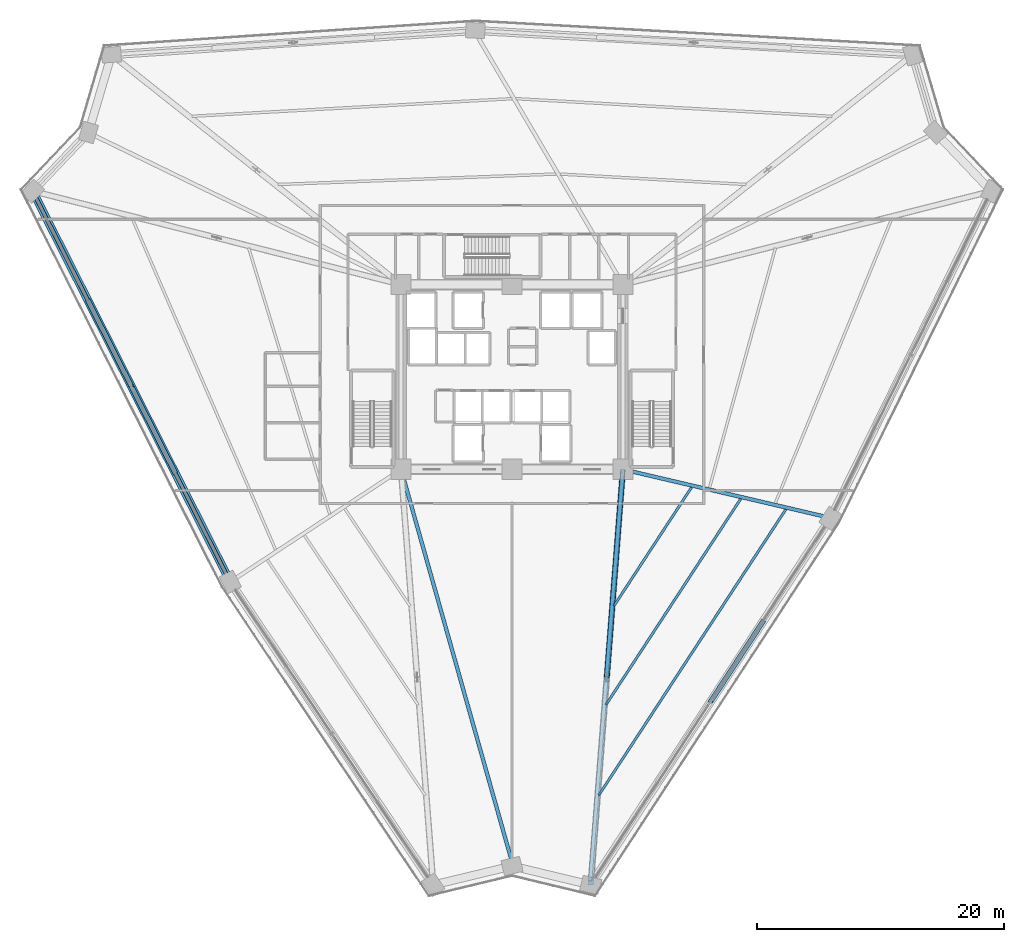
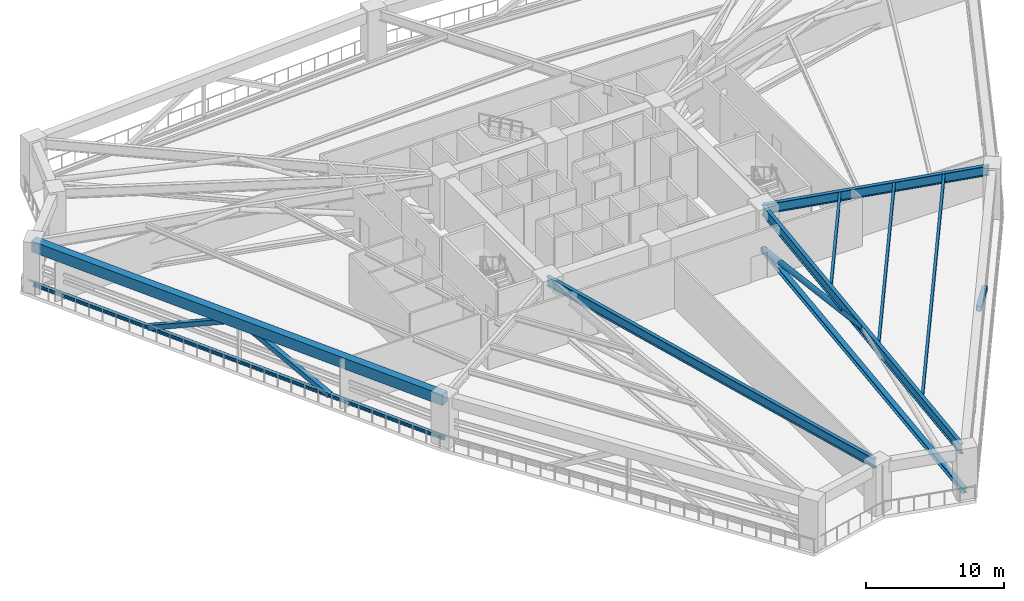
# One storey, part 5 of 25: 7 beams, 6 members.
"""IFC4 building model written with IfcOpenShell, lengths in metres."""

import ifcopenshell
import ifcopenshell.guid

model = None  # the IFC model being written
_history = None  # IfcOwnerHistory: only IFC2X3 demands one
_inside = {}  # id of a spatial element -> (the spatial element, [elements in it])
_under = {}  # id of a project, library or spatial element -> (it, [spatial elements below it])
_declared = {}  # id of a project -> (the project, [libraries it declares])
_typed = {}  # id of a type object -> (the type object, [elements of that type])
_made_of = {}  # id of a material, layer set ... -> (it, [elements and type objects made of it])


def new_model(schema):
    """Start an empty IFC model of exactly this schema.

    Asked for "IFC4X3", IfcOpenShell would pick the latest addendum, in which some entities
    have other attributes; the version numbers below select the first issue.
    IFC2X3 requires an IfcOwnerHistory on every rooted entity: one is made here for all.
    """
    global model, _history
    if schema == "IFC4X3":
        model = ifcopenshell.file(schema_version=(4, 3, 0, 0))
    else:
        model = ifcopenshell.file(schema=schema)
    _inside.clear()
    _under.clear()
    _declared.clear()
    _typed.clear()
    _made_of.clear()
    _history = None
    if model.schema == "IFC2X3":
        org = make("IfcOrganization", Name="unknown")
        user = make(
            "IfcPersonAndOrganization",
            ThePerson=make("IfcPerson", FamilyName="unknown"),
            TheOrganization=org,
        )
        app = make(
            "IfcApplication",
            ApplicationDeveloper=org,
            Version="unknown",
            ApplicationFullName="unknown",
            ApplicationIdentifier="unknown",
        )
        _history = make(
            "IfcOwnerHistory",
            OwningUser=user,
            OwningApplication=app,
            ChangeAction="ADDED",
            CreationDate=0,
        )
    return model


def make(cls, **values):
    """One entity of the class cls with the attributes given. An attribute that is None is left unset."""
    return model.create_entity(
        cls, **{name: value for name, value in values.items() if value is not None}
    )


def rooted(cls, **values):
    """An entity with a GlobalId (a new one), such as an element, a storey or a relation."""
    return make(cls, GlobalId=ifcopenshell.guid.new(), OwnerHistory=_history, **values)


def si_unit(unit_type, name, prefix=None):
    """IfcSIUnit, for example si_unit("LENGTHUNIT", "METRE", prefix="MILLI")."""
    return make("IfcSIUnit", UnitType=unit_type, Prefix=prefix, Name=name)


def assignment(units):
    """IfcUnitAssignment: the units of a project."""
    return None if units is None else make("IfcUnitAssignment", Units=units)


def point(xyz):
    """IfcCartesianPoint."""
    return None if xyz is None else make("IfcCartesianPoint", Coordinates=xyz)


def direction(xyz):
    """IfcDirection."""
    return None if xyz is None else make("IfcDirection", DirectionRatios=xyz)


def frame(location, z_axis=None, x_axis=None):
    """IfcAxis2Placement3D, a coordinate frame: its origin and axes. An axis left out is left unset."""
    return make(
        "IfcAxis2Placement3D",
        Location=point(location),
        Axis=direction(z_axis),
        RefDirection=direction(x_axis),
    )


def frame_2d(location, x_axis=None):
    """IfcAxis2Placement2D, a coordinate frame in the plane: its origin and x axis."""
    return make(
        "IfcAxis2Placement2D", Location=point(location), RefDirection=direction(x_axis)
    )


def origin():
    """The frame at (0, 0, 0) with its axes left unset."""
    return frame((0.0, 0.0, 0.0))


def origin_2d():
    """The frame at (0, 0) in the plane with its x axis left unset."""
    return frame_2d((0.0, 0.0))


def place(relative_to, where):
    """IfcLocalPlacement: puts the frame where relative to a parent placement (None: the world)."""
    return make(
        "IfcLocalPlacement", PlacementRelTo=relative_to, RelativePlacement=where
    )


def context(
    kind, dimensions, precision=None, world=None, true_north=None, identifier=None
):
    """IfcGeometricRepresentationContext, for example the 3D "Model" context."""
    return make(
        "IfcGeometricRepresentationContext",
        ContextIdentifier=identifier,
        ContextType=kind,
        CoordinateSpaceDimension=dimensions,
        Precision=precision,
        WorldCoordinateSystem=world,
        TrueNorth=true_north,
    )


def subcontext(parent, identifier, kind, view, scale=None):
    """IfcGeometricRepresentationSubContext, for example "Body" below "Model"."""
    return make(
        "IfcGeometricRepresentationSubContext",
        ContextIdentifier=identifier,
        ContextType=kind,
        ParentContext=parent,
        TargetScale=scale,
        TargetView=view,
    )


def project(units=None, contexts=None):
    """IfcProject with its units and contexts."""
    return rooted(
        "IfcProject",
        Name="project",
        RepresentationContexts=contexts,
        UnitsInContext=assignment(units),
    )


def spatial(cls, under=None, at=None, **own):
    """A site, building, storey or space (cls), placed at a placement, below another one or the project."""
    s = rooted(cls, ObjectPlacement=at, **own)
    if under is not None:
        _under.setdefault(under.id(), (under, []))[1].append(s)
    return s


def profile(cls, at=None, kind="AREA", **sizes):
    """A parametric profile (cls). Its sizes go by their IFC names, for example OverallWidth=200.0."""
    return make(cls, ProfileType=kind, Position=at, **sizes)


def rectangle(**sizes):
    """IfcRectangleProfileDef."""
    return profile("IfcRectangleProfileDef", **sizes)


def hollow_rectangle(**sizes):
    """IfcRectangleHollowProfileDef."""
    return profile("IfcRectangleHollowProfileDef", **sizes)


def hollow_circle(**sizes):
    """IfcCircleHollowProfileDef."""
    return profile("IfcCircleHollowProfileDef", **sizes)


def i_section(**sizes):
    """IfcIShapeProfileDef."""
    return profile("IfcIShapeProfileDef", **sizes)


def extrude(swept, where, along, depth):
    """IfcExtrudedAreaSolid: the profile swept, set in the frame where, extruded along a direction by depth."""
    return make(
        "IfcExtrudedAreaSolid",
        SweptArea=swept,
        Position=where,
        ExtrudedDirection=direction(along),
        Depth=depth,
    )


def shape(context_of_items, identifier, shape_type, items):
    """IfcShapeRepresentation: the items that make up one representation, for example the "Body"."""
    return make(
        "IfcShapeRepresentation",
        ContextOfItems=context_of_items,
        RepresentationIdentifier=identifier,
        RepresentationType=shape_type,
        Items=items,
    )


def source(mapping_origin, context_of_items, identifier, shape_type, items):
    """IfcRepresentationMap: a shape defined once, which mapped items show again and again."""
    return make(
        "IfcRepresentationMap",
        MappingOrigin=mapping_origin,
        MappedRepresentation=shape(context_of_items, identifier, shape_type, items),
    )


def transform(
    local_origin,
    x_axis=None,
    y_axis=None,
    z_axis=None,
    scale=None,
    scale2=None,
    scale3=None,
    uniform=True,
):
    """IfcCartesianTransformationOperator3D, or its non-uniform kind. x_axis, y_axis, z_axis: its Axis1, 2, 3."""
    if uniform:
        return make(
            "IfcCartesianTransformationOperator3D",
            Axis1=direction(x_axis),
            Axis2=direction(y_axis),
            LocalOrigin=point(local_origin),
            Scale=scale,
            Axis3=direction(z_axis),
        )
    return make(
        "IfcCartesianTransformationOperator3DnonUniform",
        Axis1=direction(x_axis),
        Axis2=direction(y_axis),
        LocalOrigin=point(local_origin),
        Scale=scale,
        Axis3=direction(z_axis),
        Scale2=scale2,
        Scale3=scale3,
    )


def mapped(mapping_source, mapping_target):
    """IfcMappedItem: shows the shape of a source again, moved by a transform."""
    return make(
        "IfcMappedItem", MappingSource=mapping_source, MappingTarget=mapping_target
    )


def material(Name=None, Category=None):
    """IfcMaterial."""
    return make("IfcMaterial", Name=Name, Category=Category)


def material_profile(
    of_material, cross_section, Name=None, Category=None, Priority=None
):
    """IfcMaterialProfile: a cross section and its material."""
    return make(
        "IfcMaterialProfile",
        Name=Name,
        Material=of_material,
        Profile=cross_section,
        Priority=Priority,
        Category=Category,
    )


def profile_set(profiles, Name=None, composite=None):
    """IfcMaterialProfileSet."""
    return make(
        "IfcMaterialProfileSet",
        Name=Name,
        MaterialProfiles=profiles,
        CompositeProfile=composite,
    )


def made_of(thing, what):
    """Note that an element or type object is made of a material, layer set ...; save() writes the relation."""
    if what is not None:
        _made_of.setdefault(what.id(), (what, []))[1].append(thing)
    return thing


def type_object(cls, material=None, **own):
    """A type object (cls), such as IfcWallType, which elements share."""
    return made_of(rooted(cls, **own), material)


def element(
    cls,
    number,
    at=None,
    inside=None,
    cuts=None,
    type_object=None,
    material=None,
    context=None,
    identifier="Body",
    shape_type=None,
    held_by="IfcProductDefinitionShape",
    body=None,
    shapes=None,
    **own,
):
    """One element of the class cls, such as IfcWall. Its Tag is "e" and its number.

    at: its placement. inside: the storey or other place that contains it. cuts: it is an
    opening in that element (IfcRelVoidsElement). A single representation is given by context,
    identifier, shape_type and body (its items); several are given by shapes. held_by: the class
    of the entity that holds the representations. save() writes the other relations.
    """
    e = rooted(cls, Tag="e%d" % number, ObjectPlacement=at, **own)
    if body is not None:
        shapes = [shape(context, identifier, shape_type, body)]
    if shapes is not None:
        e.Representation = make(held_by, Representations=shapes)
    if inside is not None:
        _inside.setdefault(inside.id(), (inside, []))[1].append(e)
    if cuts is not None:
        rooted(
            "IfcRelVoidsElement", RelatingBuildingElement=cuts, RelatedOpeningElement=e
        )
    if type_object is not None:
        _typed.setdefault(type_object.id(), (type_object, []))[1].append(e)
    return made_of(e, material)


def aggregate(whole, parts):
    """IfcRelAggregates: a whole, such as a stair, and the parts it consists of."""
    return rooted("IfcRelAggregates", RelatingObject=whole, RelatedObjects=parts)


def save(model, path):
    """Write the relations noted so far, then the file.

    IfcRelAggregates (storeys below a building ...), IfcRelContainedInSpatialStructure (elements
    in a storey), IfcRelDefinesByType, IfcRelAssociatesMaterial and IfcRelDeclares: one each for
    every whole, place, type object, material and project.
    """
    for whole, parts in _under.values():
        aggregate(whole, parts)
    for where, things in _inside.values():
        rooted(
            "IfcRelContainedInSpatialStructure",
            RelatedElements=things,
            RelatingStructure=where,
        )
    for kind, things in _typed.values():
        rooted("IfcRelDefinesByType", RelatedObjects=things, RelatingType=kind)
    for what, things in _made_of.values():
        rooted("IfcRelAssociatesMaterial", RelatedObjects=things, RelatingMaterial=what)
    for by, libraries in _declared.values():
        rooted("IfcRelDeclares", RelatingContext=by, RelatedDefinitions=libraries)
    model.write(path)


model = new_model("IFC4")

# Units and contexts
model_context = context("Model", 3, precision=1e-05, world=origin(), true_north=direction((0.0, 1.0)))
body_context = subcontext(model_context, "Body", "Model", "MODEL_VIEW")
ifc_project = project(units=[si_unit("LENGTHUNIT", "METRE"), si_unit("AREAUNIT", "SQUARE_METRE"), si_unit("VOLUMEUNIT", "CUBIC_METRE"), si_unit("PLANEANGLEUNIT", "RADIAN"), si_unit("MASSUNIT", "GRAM", prefix="KILO")], contexts=[model_context])

# Site, building, storey
site_placement = place(None, origin())
site = spatial("IfcSite", under=ifc_project, at=site_placement, CompositionType="ELEMENT")
building_placement = place(site_placement, origin())
building = spatial("IfcBuilding", under=site, at=building_placement, Name="Liaohun Quay Tower", CompositionType="ELEMENT")
storey_placement = place(building_placement, frame((0.0, 0.0, 47.25)))
storey = spatial("IfcBuildingStorey", under=building, at=storey_placement, Name="L12", CompositionType="ELEMENT", Elevation=47.25)

# Beams
ifc_material_1 = material(Name="Precast concrete C55", Category="concrete")
ifc_material_profile_1 = material_profile(ifc_material_1, rectangle(XDim=0.64990234375, YDim=0.949951171875, at=origin_2d()), Name="RC650x950")
ifc_profile_set_1 = profile_set([ifc_material_profile_1], Name="Precast concrete C55")
beam_type_1 = type_object("IfcBeamType", Name="BM-SPD-Z1", PredefinedType="SPANDREL", material=ifc_profile_set_1)
shared_shape_1 = source(origin(), body_context, "Body", "SweptSolid", [
    extrude(rectangle(XDim=0.64990234375, YDim=0.949951171875, at=origin_2d()), origin(), (0.0, 0.0, 1.0), 35.535400390625),
])
beam_1_placement = place(storey_placement, frame((37.14404296875, 37.364990234375, 3.844970703125), z_axis=(-0.451182994256, 0.892431457141, 0.0), x_axis=(-0.892431457141, -0.451182994256, 0.0)))
element("IfcBeam", 1, at=beam_1_placement, inside=storey, type_object=beam_type_1, Name="L12 Precast Spandrel Beam PC02-PC03", PredefinedType="SPANDREL", context=body_context, shape_type="MappedRepresentation", body=[
    mapped(shared_shape_1, transform((0.0, 0.0, 0.0), x_axis=(1.0, 0.0, 0.0), y_axis=(0.0, 1.0, 0.0), z_axis=(0.0, 0.0, 1.0), scale=1.0)),
])
ifc_material_2 = material(Name="Steel Q355D", Category="steel")
ifc_material_profile_2 = material_profile(ifc_material_2, i_section(OverallWidth=0.300048828125, OverallDepth=0.85009765625, WebThickness=0.01611328125, FlangeThickness=0.028076171875, at=origin_2d()), Name="HN850x300x16x28")
ifc_profile_set_2 = profile_set([ifc_material_profile_2], Name="Steel Q355D")
beam_type_2 = type_object("IfcBeamType", Name="BM-RAD-H2", PredefinedType="BEAM", material=ifc_profile_set_2)
shared_shape_2 = source(origin(), body_context, "Body", "SweptSolid", [
    extrude(i_section(OverallWidth=0.300048828125, OverallDepth=0.85009765625, WebThickness=0.01611328125, FlangeThickness=0.028076171875, at=origin_2d()), origin(), (0.0, 0.0, 1.0), 17.077880859375),
])
beam_2_placement = place(storey_placement, frame((69.0, 46.5, 3.89501953125), z_axis=(0.973767556011, -0.227545043588, 0.0), x_axis=(0.227545043588, 0.973767556011, 0.0)))
element("IfcBeam", 2, at=beam_2_placement, inside=storey, type_object=beam_type_2, Name="L12 Radial Primary Girder CC3-PC10", PredefinedType="BEAM", context=body_context, shape_type="MappedRepresentation", body=[
    mapped(shared_shape_2, transform((0.0, 0.0, 0.0), x_axis=(1.0, 0.0, 0.0), y_axis=(0.0, 1.0, 0.0), z_axis=(0.0, 0.0, 1.0), scale=1.0)),
])
ifc_material_3 = material(Name="Steel Q420D", Category="steel")
ifc_material_profile_3 = material_profile(ifc_material_3, i_section(OverallWidth=0.300048828125, OverallDepth=0.89990234375, WebThickness=0.01611328125, FlangeThickness=0.028076171875, at=origin_2d()), Name="HN900x300x16x28")
ifc_profile_set_3 = profile_set([ifc_material_profile_3], Name="Steel Q420D")
beam_type_3 = type_object("IfcBeamType", Name="BM-RAD-H1", PredefinedType="BEAM", material=ifc_profile_set_3)
shared_shape_3 = source(origin(), body_context, "Body", "SweptSolid", [
    extrude(i_section(OverallWidth=0.300048828125, OverallDepth=0.89990234375, WebThickness=0.01611328125, FlangeThickness=0.028076171875, at=origin_2d()), origin(), (0.0, 0.0, 1.0), 33.4833984375),
])
beam_3_placement = place(storey_placement, frame((69.0, 46.5, 3.8701171875), z_axis=(-0.079680306721, -0.996820469654, 0.0), x_axis=(0.996820469654, -0.079680306721, 0.0)))
element("IfcBeam", 3, at=beam_3_placement, inside=storey, type_object=beam_type_3, Name="L12 Radial Primary Girder CC3-PC11", PredefinedType="BEAM", context=body_context, shape_type="MappedRepresentation", body=[
    mapped(shared_shape_3, transform((0.0, 0.0, 0.0), x_axis=(1.0, 0.0, 0.0), y_axis=(0.0, 1.0, 0.0), z_axis=(0.0, 0.0, 1.0), scale=1.0)),
])
shared_shape_4 = source(origin(), body_context, "Body", "SweptSolid", [
    extrude(i_section(OverallWidth=0.300048828125, OverallDepth=0.85009765625, WebThickness=0.01611328125, FlangeThickness=0.028076171875, at=origin_2d()), origin(), (0.0, 0.0, 1.0), 33.09521484375),
])
beam_4_placement = place(storey_placement, frame((51.0, 46.5, 3.89501953125), z_axis=(0.271943194033, -0.962313306163, 0.0), x_axis=(0.962313306163, 0.271943194033, 0.0)))
element("IfcBeam", 4, at=beam_4_placement, inside=storey, type_object=beam_type_2, Name="L12 Radial Primary Girder CC1-PC12", PredefinedType="BEAM", context=body_context, shape_type="MappedRepresentation", body=[
    mapped(shared_shape_4, transform((0.0, 0.0, 0.0), x_axis=(1.0, 0.0, 0.0), y_axis=(0.0, 1.0, 0.0), z_axis=(0.0, 0.0, 1.0), scale=1.0)),
])
ifc_material_profile_4 = material_profile(ifc_material_2, i_section(OverallWidth=0.199951171875, OverallDepth=0.449951171875, WebThickness=0.009033203125, FlangeThickness=0.013916015625, at=origin_2d()), Name="HN450x200x9x14")
ifc_profile_set_4 = profile_set([ifc_material_profile_4], Name="Steel Q355D")
beam_type_4 = type_object("IfcBeamType", Name="BM-SEC-J1", PredefinedType="JOIST", material=ifc_profile_set_4)
shared_shape_5 = source(origin(), body_context, "Body", "SweptSolid", [
    extrude(i_section(OverallWidth=0.199951171875, OverallDepth=0.449951171875, WebThickness=0.009033203125, FlangeThickness=0.013916015625, at=origin_2d()), origin(), (0.0, 0.0, 1.0), 11.510009765625),
])
beam_5_placement = place(storey_placement, frame((74.56689453125, 45.044921875, 4.094970703125), z_axis=(-0.547607066281, -0.836735621902, 0.0), x_axis=(0.836735621902, -0.547607066281, 0.0)))
element("IfcBeam", 5, at=beam_5_placement, inside=storey, type_object=beam_type_4, Name="L12 Wing Secondary Floor Joist SJ-12", PredefinedType="JOIST", context=body_context, shape_type="MappedRepresentation", body=[
    mapped(shared_shape_5, transform((0.0, 0.0, 0.0), x_axis=(1.0, 0.0, 0.0), y_axis=(0.0, 1.0, 0.0), z_axis=(0.0, 0.0, 1.0), scale=1.0)),
])
shared_shape_6 = source(origin(), body_context, "Body", "SweptSolid", [
    extrude(i_section(OverallWidth=0.199951171875, OverallDepth=0.449951171875, WebThickness=0.009033203125, FlangeThickness=0.013916015625, at=origin_2d()), origin(), (0.0, 0.0, 1.0), 19.969482421875),
])
beam_6_placement = place(storey_placement, frame((78.55810546875, 44.113037109375, 4.094970703125), z_axis=(-0.54754183506, -0.836778309267, 0.0), x_axis=(0.836778309267, -0.54754183506, 0.0)))
element("IfcBeam", 6, at=beam_6_placement, inside=storey, type_object=beam_type_4, Name="L12 Wing Secondary Floor Joist SJ-13", PredefinedType="JOIST", context=body_context, shape_type="MappedRepresentation", body=[
    mapped(shared_shape_6, transform((0.0, 0.0, 0.0), x_axis=(1.0, 0.0, 0.0), y_axis=(0.0, 1.0, 0.0), z_axis=(0.0, 0.0, 1.0), scale=1.0)),
])
shared_shape_7 = source(origin(), body_context, "Body", "SweptSolid", [
    extrude(i_section(OverallWidth=0.199951171875, OverallDepth=0.449951171875, WebThickness=0.009033203125, FlangeThickness=0.013916015625, at=origin_2d()), origin(), (0.0, 0.0, 1.0), 27.72314453125),
])
beam_7_placement = place(storey_placement, frame((82.217041015625, 43.258056640625, 4.094970703125), z_axis=(-0.54755279495, -0.836771137613, 0.0), x_axis=(0.836771137613, -0.54755279495, 0.0)))
element("IfcBeam", 7, at=beam_7_placement, inside=storey, type_object=beam_type_4, Name="L12 Wing Secondary Floor Joist SJ-14", PredefinedType="JOIST", context=body_context, shape_type="MappedRepresentation", body=[
    mapped(shared_shape_7, transform((0.0, 0.0, 0.0), x_axis=(1.0, 0.0, 0.0), y_axis=(0.0, 1.0, 0.0), z_axis=(0.0, 0.0, 1.0), scale=1.0)),
])

# Members
ifc_material_profile_5 = material_profile(ifc_material_3, i_section(OverallWidth=0.405029296875, OverallDepth=0.4140625, WebThickness=0.01806640625, FlangeThickness=0.028076171875, at=origin_2d()), Name="HW414x405x18x28")
ifc_profile_set_5 = profile_set([ifc_material_profile_5], Name="Steel Q420D")
member_type_1 = type_object("IfcMemberType", Name="MEM-OUT-CHD", PredefinedType="CHORD", material=ifc_profile_set_5)
shared_shape_8 = source(origin(), body_context, "Body", "SweptSolid", [
    extrude(i_section(OverallWidth=0.405029296875, OverallDepth=0.4140625, WebThickness=0.01806640625, FlangeThickness=0.028076171875, at=origin_2d()), origin(), (0.0, 0.0, 1.0), 33.819091796875),
])
member_1_placement = place(storey_placement, frame((69.0, 46.5, 0.35009765625), z_axis=(-0.077265089802, -0.997010584647, 0.0), x_axis=(0.997010584647, -0.077265089802, 0.0)))
element("IfcMember", 8, at=member_1_placement, inside=storey, type_object=member_type_1, Name="L12 Outrigger Bottom Chord OC-06", PredefinedType="CHORD", context=body_context, shape_type="MappedRepresentation", body=[
    mapped(shared_shape_8, transform((0.0, 0.0, 0.0), x_axis=(1.0, 0.0, 0.0), y_axis=(0.0, 1.0, 0.0), z_axis=(0.0, 0.0, 1.0), scale=1.0)),
])
ifc_material_profile_6 = material_profile(ifc_material_3, hollow_circle(Radius=0.228515625, WallThickness=0.02001953125, at=origin_2d()), Name="CHS457x20")
ifc_profile_set_6 = profile_set([ifc_material_profile_6], Name="Steel Q420D")
member_type_2 = type_object("IfcMemberType", Name="MEM-OUT-DG1", PredefinedType="BRACE", material=ifc_profile_set_6)
shared_shape_9 = source(origin(), body_context, "Body", "SweptSolid", [
    extrude(hollow_circle(Radius=0.228515625, WallThickness=0.02001953125, at=origin_2d()), origin(), (0.0, 0.0, 1.0), 17.302978515625),
])
member_2_placement = place(storey_placement, frame((69.0, 46.5, 0.35009765625), z_axis=(-0.075472686551, -0.974329948981, 0.212096732891), x_axis=(0.997013321503, -0.077229765933, 0.0)))
element("IfcMember", 9, at=member_2_placement, inside=storey, type_object=member_type_2, Name="L12 Outrigger Diagonal OD-06A", PredefinedType="BRACE", context=body_context, shape_type="MappedRepresentation", body=[
    mapped(shared_shape_9, transform((0.0, 0.0, 0.0), x_axis=(1.0, 0.0, 0.0), y_axis=(0.0, 1.0, 0.0), z_axis=(0.0, 0.0, 1.0), scale=1.0)),
])
ifc_material_profile_7 = material_profile(ifc_material_2, i_section(OverallWidth=0.300048828125, OverallDepth=0.300048828125, WebThickness=0.010009765625, FlangeThickness=0.014892578125, at=origin_2d()), Name="HW300x300x10x15")
ifc_profile_set_7 = profile_set([ifc_material_profile_7], Name="Steel Q355D")
member_type_3 = type_object("IfcMemberType", Name="MEM-BLT-CHD", PredefinedType="CHORD", material=ifc_profile_set_7)
shared_shape_10 = source(origin(), body_context, "Body", "SweptSolid", [
    extrude(i_section(OverallWidth=0.300048828125, OverallDepth=0.300048828125, WebThickness=0.010009765625, FlangeThickness=0.014892578125, at=origin_2d()), origin(), (0.0, 0.0, 1.0), 35.535400390625),
])
member_3_placement = place(storey_placement, frame((37.14404296875, 37.364990234375, 0.35009765625), z_axis=(-0.451182994256, 0.892431457141, 0.0), x_axis=(-0.892431457141, -0.451182994256, 0.0)))
element("IfcMember", 10, at=member_3_placement, inside=storey, type_object=member_type_3, Name="L12 Belt Truss Bottom Chord BC-1-02", PredefinedType="CHORD", context=body_context, shape_type="MappedRepresentation", body=[
    mapped(shared_shape_10, transform((0.0, 0.0, 0.0), x_axis=(1.0, 0.0, 0.0), y_axis=(0.0, 1.0, 0.0), z_axis=(0.0, 0.0, 1.0), scale=1.0)),
])
ifc_material_profile_8 = material_profile(ifc_material_3, hollow_rectangle(XDim=0.39990234375, YDim=0.39990234375, WallThickness=0.02001953125, at=origin_2d()), Name="SHS400x400x20")
ifc_profile_set_8 = profile_set([ifc_material_profile_8], Name="Steel Q420D")
member_type_4 = type_object("IfcMemberType", Name="MEM-BLT-DG1", PredefinedType="BRACE", material=ifc_profile_set_8)
shared_shape_11 = source(origin(), body_context, "Body", "SweptSolid", [
    extrude(hollow_rectangle(XDim=0.39990234375, YDim=0.39990234375, WallThickness=0.02001953125, at=origin_2d()), origin(), (0.0, 0.0, 1.0), 8.63671875),
])
member_4_placement = place(storey_placement, frame((32.655029296875, 46.2451171875, 0.35009765625), z_axis=(-0.408501206937, 0.807815306252, 0.424924928564), x_axis=(-0.892388190945, -0.451268563787, 0.0)))
element("IfcMember", 11, at=member_4_placement, inside=storey, type_object=member_type_4, Name="L12 Belt Truss Diagonal BD-02A", PredefinedType="BRACE", context=body_context, shape_type="MappedRepresentation", body=[
    mapped(shared_shape_11, transform((0.0, 0.0, 0.0), x_axis=(1.0, 0.0, 0.0), y_axis=(0.0, 1.0, 0.0), z_axis=(0.0, 0.0, 1.0), scale=1.0)),
])
shared_shape_12 = source(origin(), body_context, "Body", "SweptSolid", [
    extrude(hollow_rectangle(XDim=0.39990234375, YDim=0.39990234375, WallThickness=0.02001953125, at=origin_2d()), origin(), (0.0, 0.0, 1.0), 8.635498046875),
])
member_5_placement = place(storey_placement, frame((29.126953125, 53.221923828125, 4.02001953125), z_axis=(-0.408411423869, 0.807832481353, -0.424978577018), x_axis=(-0.892431993293, -0.451181933755, 0.0)))
element("IfcMember", 12, at=member_5_placement, inside=storey, type_object=member_type_4, Name="L12 Belt Truss Diagonal BD-02B", PredefinedType="BRACE", context=body_context, shape_type="MappedRepresentation", body=[
    mapped(shared_shape_12, transform((0.0, 0.0, 0.0), x_axis=(1.0, 0.0, 0.0), y_axis=(0.0, 1.0, 0.0), z_axis=(0.0, 0.0, 1.0), scale=1.0)),
])
shared_shape_13 = source(origin(), body_context, "Body", "SweptSolid", [
    extrude(hollow_rectangle(XDim=0.39990234375, YDim=0.39990234375, WallThickness=0.02001953125, at=origin_2d()), origin(), (0.0, 0.0, 1.0), 8.635986328125),
])
member_6_placement = place(storey_placement, frame((80.388916015625, 34.196044921875, 0.35009765625), z_axis=(-0.495355027846, -0.757648370407, 0.424961578506), x_axis=(0.836985018671, -0.547225802133, 0.0)))
element("IfcMember", 13, at=member_6_placement, inside=storey, type_object=member_type_4, Name="L12 Belt Truss Diagonal BD-06A", PredefinedType="BRACE", context=body_context, shape_type="MappedRepresentation", body=[
    mapped(shared_shape_13, transform((0.0, 0.0, 0.0), x_axis=(1.0, 0.0, 0.0), y_axis=(0.0, 1.0, 0.0), z_axis=(0.0, 0.0, 1.0), scale=1.0)),
])

save(model, "model.ifc")
